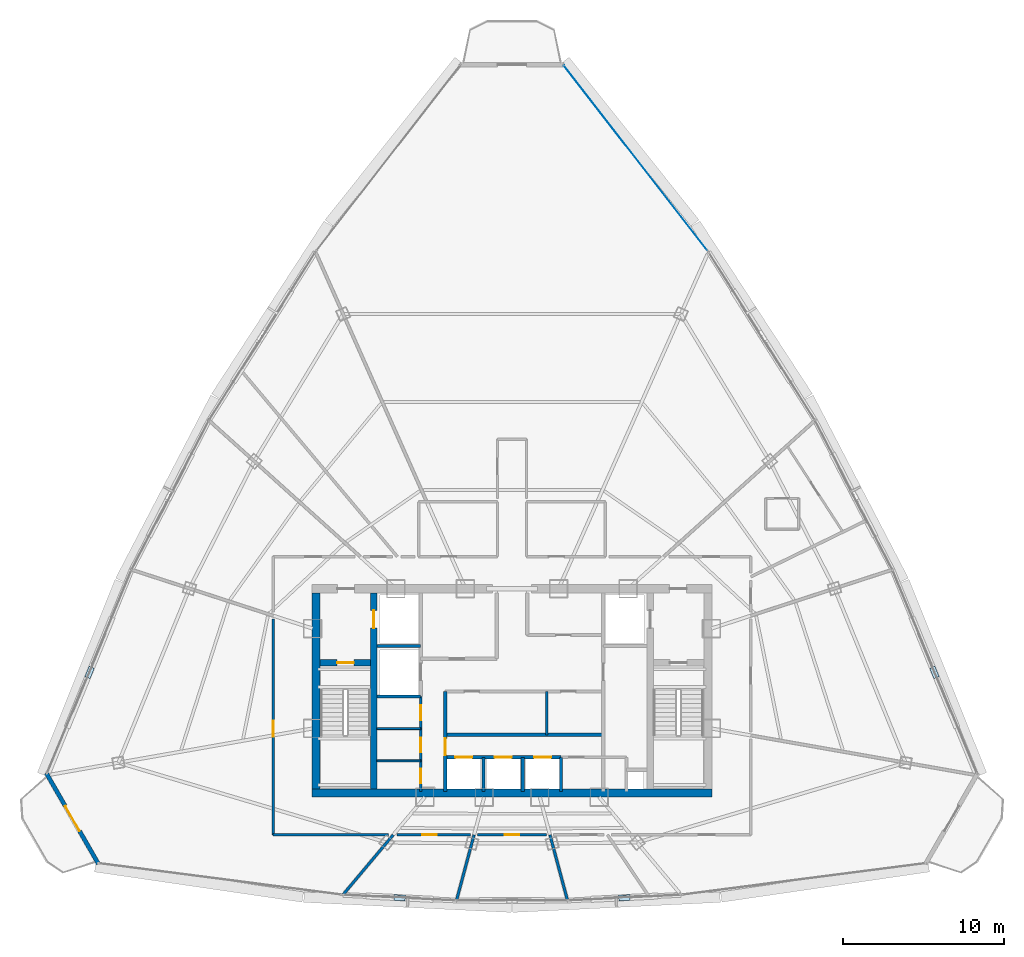
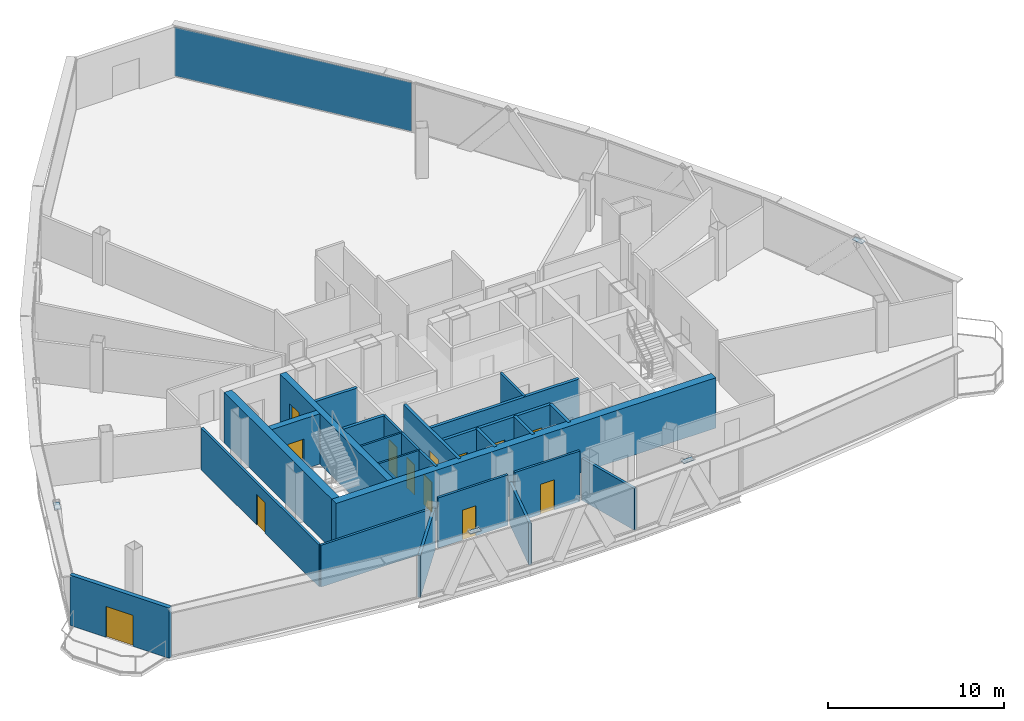
# One storey, part 27 of 33: 24 walls, 13 doors, 5 plates, 13 openings, 1 element without a shape of its own.
"""IFC4 building model written with IfcOpenShell, lengths in metres."""

from ifc_helpers import new_model, si_unit, direction, frame, frame_2d, origin, origin_with_axes, origin_2d, place, context, subcontext, project, spatial, rectangle, extrude, source, transform, mapped, material, layer, layer_set, type_object, element, fill, aggregate, save


model = new_model("IFC4")

# Units and contexts
model_context = context("Model", 3, precision=1e-05, world=origin(), true_north=direction((0.0, 1.0)))
body_context = subcontext(model_context, "Body", "Model", "MODEL_VIEW")
ifc_project = project(units=[si_unit("LENGTHUNIT", "METRE"), si_unit("AREAUNIT", "SQUARE_METRE"), si_unit("VOLUMEUNIT", "CUBIC_METRE"), si_unit("PLANEANGLEUNIT", "RADIAN"), si_unit("MASSUNIT", "GRAM", prefix="KILO"), si_unit("THERMODYNAMICTEMPERATUREUNIT", "KELVIN"), si_unit("POWERUNIT", "WATT")], contexts=[model_context])

# Site, building, storey
site_placement = place(None, origin())
site = spatial("IfcSite", under=ifc_project, at=site_placement, CompositionType="ELEMENT")
building_placement = place(site_placement, origin())
building = spatial("IfcBuilding", under=site, at=building_placement, Name="Yunzhuo Pagoda Commons", CompositionType="ELEMENT")
storey_placement = place(building_placement, frame((0.0, 0.0, 325.510009765625)))
storey = spatial("IfcBuildingStorey", under=building, at=storey_placement, Name="L81", CompositionType="ELEMENT", Elevation=325.510009765625)

# Plates
ifc_material_1 = material(Name="Structural steel Q355B", Category="steel")
ifc_layer_1 = layer(ifc_material_1, 0.028076171875)
ifc_layer_set_1 = layer_set([ifc_layer_1], Name="Structural steel Q355B")
plate_type_1 = type_object("IfcPlateType", Name="SP-ND1 Lattice Node Cap Plate 800x500x28", PredefinedType="USERDEFINED", material=ifc_layer_set_1)
shared_shape_1 = source(origin(), body_context, "Body", "SweptSolid", [
    extrude(rectangle(XDim=0.699951171875, YDim=0.35009765625, at=origin_2d()), origin(), (0.0, 0.0, 1.0), 0.035888671875),
])
for number, where, z_axis, x_axis, name in (
    (1, (41.016845703125, 20.9931640625, 3.4521484375), (0.0, 0.0, 1.0), (0.998757045498, -0.049843395432, 0.0), "L81 setback lattice tie plate F1.1L"),
    (2, (54.983154296875, 20.9931640625, 3.4521484375), (0.0, 0.0, 1.0), (0.998757045498, 0.049843395432, 0.0), "L81 setback lattice tie plate F1.3L"),
    (3, (74.264404296875, 34.99658203125, 3.4521484375), (0.0, 0.0, 1.0), (-0.378567847265, 0.925573543819, 0.0), "L81 setback lattice tie plate F2.1L"),
    (4, (21.735595703125, 34.99658203125, 3.4521484375), (0.0, 0.0, 1.0), (-0.378567847265, -0.925573543819, 0.0), "L81 setback lattice tie plate F3.3L"),
):
    element("IfcPlate", number, at=place(storey_placement, frame(where, z_axis=z_axis, x_axis=x_axis)), inside=storey, type_object=plate_type_1, Name=name, ObjectType="STIFFENER_PLATE", PredefinedType="USERDEFINED", context=body_context, shape_type="MappedRepresentation", body=[
        mapped(shared_shape_1, transform((0.0, 0.0, 0.0), scale=1.0)),
    ])

# Curtain wall, plate
ifc_material_2 = material(Name="Anodized aluminium 6063-T6", Category="aluminium")
ifc_layer_2 = layer(ifc_material_2, 0.139892578125)
ifc_layer_set_2 = layer_set([ifc_layer_2], Name="Anodized aluminium 6063-T6")
curtain_wall_type = type_object("IfcCurtainWallType", Name="CW-HI High-Zone Ribbon Curtain Wall", PredefinedType="NOTDEFINED", material=ifc_layer_set_2)
curtain_wall_placement = place(storey_placement, origin())
curtain_wall = element("IfcCurtainWall", 5, at=curtain_wall_placement, inside=storey, type_object=curtain_wall_type, Name="L81 curtain wall CW-L81-F2B5", PredefinedType="NOTDEFINED")
ifc_material_3 = material(Name="Tempered low-e double glazing", Category="glass")
ifc_layer_3 = layer(ifc_material_3, 0.02587890625)
ifc_layer_set_3 = layer_set([ifc_layer_3], Name="Tempered low-e double glazing")
plate_type_2 = type_object("IfcPlateType", Name="CW-HI-P Low-E Double Glazing 26", PredefinedType="CURTAIN_PANEL", material=ifc_layer_set_3)
shared_shape_2 = source(origin(), body_context, "Body", "SweptSolid", [
    extrude(rectangle(XDim=14.537353515625, YDim=0.028076171875, at=origin_2d()), origin(), (0.0, 0.0, 1.0), 3.3798828125),
])
plate_placement = place(storey_placement, frame((55.680419921875, 66.99267578125, 0.054931640625), z_axis=(0.0, 0.0, 1.0), x_axis=(-0.612917502921, 0.790146906982, 0.0)))
plate = element("IfcPlate", 6, at=plate_placement, type_object=plate_type_2, Name="CW panel 1.1", PredefinedType="CURTAIN_PANEL", context=body_context, shape_type="MappedRepresentation", body=[
    mapped(shared_shape_2, transform((0.0, 0.0, 0.0), scale=1.0)),
])
aggregate(curtain_wall, [plate])

# Wall, opening, door
ifc_material_4 = material(Name="Precast concrete C40", Category="concrete")
ifc_layer_4 = layer(ifc_material_4, 0.260009765625)
ifc_layer_set_4 = layer_set([ifc_layer_4], Name="Precast concrete C40")
wall_type_1 = type_object("IfcWallType", Name="W-BAL1 Corner Balcony Threshold Wall 260", PredefinedType="STANDARD", material=ifc_layer_set_4)
wall_1_placement = place(storey_placement, frame((19.044677734375, 28.739013671875, 0.0), z_axis=(0.0, 0.0, 1.0), x_axis=(0.49793434898, -0.867214727796, 0.0)))
wall_1 = element("IfcWall", 7, at=wall_1_placement, inside=storey, type_object=wall_type_1, Name="L81 corner balcony wall V1", PredefinedType="STANDARD", context=body_context, shape_type="SweptSolid", body=[
    extrude(rectangle(XDim=6.5126953125, YDim=0.260009765625, at=frame_2d((3.25634765625, 0.0))), origin(), (0.0, 0.0, 1.0), 3.489990234375),
])
opening_1_placement = place(wall_1_placement, frame((2.3564453125, 0.0, 0.0)))
opening_1 = element("IfcOpeningElement", 8, at=opening_1_placement, cuts=wall_1, Name="Opening D-BAL1", PredefinedType="OPENING", context=body_context, shape_type="SweptSolid", body=[
    extrude(rectangle(XDim=1.800048828125, YDim=2.14990234375, at=frame_2d((0.89990234375, 1.074951171875))), frame((0.0, 0.14013671875, 0.0), z_axis=(0.0, -1.0, 0.0), x_axis=(1.0, 0.0, 0.0)), (0.0, 0.0, 1.0), 0.280029296875),
])
ifc_material_5 = material(Name="Anodized aluminium frame and tempered glazed leaf", Category="aluminium")
door_type_1 = type_object("IfcDoorType", Name="D-BAL1 Corner Balcony Sliding Glazed Door 1800x2150", OperationType="DOUBLE_DOOR_SLIDING", PredefinedType="DOOR", material=ifc_material_5)
shared_shape_3 = source(origin(), body_context, "Body", "SweptSolid", [
    extrude(rectangle(XDim=1.800048828125, YDim=2.14990234375, at=frame_2d((0.89990234375, 1.074951171875))), frame((0.0, 0.02490234375, 0.0), z_axis=(0.0, -1.0, 0.0), x_axis=(1.0, 0.0, 0.0)), (0.0, 0.0, 1.0), 0.050048828125),
])
door_1_placement = place(opening_1_placement, origin_with_axes())
door_1 = element("IfcDoor", 9, at=door_1_placement, inside=storey, type_object=door_type_1, Name="L81 corner balcony sliding door V1", OperationType="DOUBLE_DOOR_SLIDING", OverallHeight=2.14990234375, OverallWidth=1.800048828125, PredefinedType="DOOR", context=body_context, shape_type="MappedRepresentation", body=[
    mapped(shared_shape_3, transform((0.0, 0.0, 0.0), scale=1.0)),
])
fill(opening_1, door_1)

# Walls
ifc_material_6 = material(Name="Concrete C50", Category="concrete")
ifc_layer_5 = layer(ifc_material_6, 0.5)
ifc_layer_set_5 = layer_set([ifc_layer_5], Name="Concrete C50")
wall_type_2 = type_object("IfcWallType", Name="W-C03 Upper Core Shear Wall 500", PredefinedType="SHEAR", material=ifc_layer_set_5)
wall_2_placement = place(storey_placement, frame((35.550048828125, 27.5, 0.0), z_axis=(0.0, 0.0, 1.0), x_axis=(1.0, 0.0, 0.0)))
element("IfcWall", 10, at=wall_2_placement, inside=storey, type_object=wall_type_2, Name="L81 core shear wall S", PredefinedType="SHEAR", context=body_context, shape_type="SweptSolid", body=[
    extrude(rectangle(XDim=24.89990234375, YDim=0.5, at=frame_2d((12.449951171875, 0.0))), origin(), (0.0, 0.0, 1.0), 3.489990234375),
])
wall_3_placement = place(storey_placement, frame((35.800048828125, 27.75, 0.0), z_axis=(0.0, 0.0, 1.0), x_axis=(0.0, 1.0, 0.0)))
element("IfcWall", 11, at=wall_3_placement, inside=storey, type_object=wall_type_2, Name="L81 core shear wall W", PredefinedType="SHEAR", context=body_context, shape_type="SweptSolid", body=[
    extrude(rectangle(XDim=12.199951171875, YDim=0.5, at=frame_2d((6.10009765625, 0.0))), origin(), (0.0, 0.0, 1.0), 3.489990234375),
])
ifc_material_7 = material(Name="Gypsum plasterboard on acoustic stud")
ifc_layer_6 = layer(ifc_material_7, 0.14990234375)
ifc_layer_set_6 = layer_set([ifc_layer_6], Name="Gypsum plasterboard on acoustic stud")
wall_type_3 = type_object("IfcWallType", Name="W-COR3 High-Zone Rated Corridor Wall 150", PredefinedType="PARTITIONING", material=ifc_layer_set_6)
wall_4_placement = place(storey_placement, frame((50.14990234375, 31.1201171875, 0.0), z_axis=(0.0, 0.0, 1.0), x_axis=(0.0, 1.0, 0.0)))
element("IfcWall", 12, at=wall_4_placement, inside=storey, type_object=wall_type_3, Name="L81 interior wall IW-L81-FRMD", PredefinedType="PARTITIONING", context=body_context, shape_type="SweptSolid", body=[
    extrude(rectangle(XDim=2.699951171875, YDim=0.14990234375, at=frame_2d((1.35009765625, 0.0))), origin(), (0.0, 0.0, 1.0), 3.489990234375),
])

# Wall, openings, doors
wall_5_placement = place(storey_placement, frame((42.320068359375, 27.60009765625, 0.0), z_axis=(0.0, 0.0, 1.0), x_axis=(0.0, 1.0, 0.0)))
wall_5 = element("IfcWall", 13, at=wall_5_placement, inside=storey, type_object=wall_type_3, Name="L81 interior wall IW-L81-CSWE", PredefinedType="PARTITIONING", context=body_context, shape_type="SweptSolid", body=[
    extrude(rectangle(XDim=5.89990234375, YDim=0.14990234375, at=frame_2d((2.949951171875, 0.0))), origin(), (0.0, 0.0, 1.0), 3.489990234375),
])
opening_2_placement = place(wall_5_placement, frame((0.5, 0.0, 0.0)))
opening_2 = element("IfcOpeningElement", 14, at=opening_2_placement, cuts=wall_5, Name="Opening D-03", PredefinedType="OPENING", context=body_context, shape_type="SweptSolid", body=[
    extrude(rectangle(XDim=0.89990234375, YDim=2.10009765625, at=frame_2d((0.449951171875, 1.050048828125))), frame((0.0, 0.0849609375, 0.0), z_axis=(0.0, -1.0, 0.0), x_axis=(1.0, 0.0, 0.0)), (0.0, 0.0, 1.0), 0.169921875),
])
opening_3_placement = place(wall_5_placement, frame((2.449951171875, 0.0, 0.0)))
opening_3 = element("IfcOpeningElement", 15, at=opening_3_placement, cuts=wall_5, Name="Opening D-03", PredefinedType="OPENING", context=body_context, shape_type="SweptSolid", body=[
    extrude(rectangle(XDim=0.89990234375, YDim=2.10009765625, at=frame_2d((0.449951171875, 1.050048828125))), frame((0.0, 0.0849609375, 0.0), z_axis=(0.0, -1.0, 0.0), x_axis=(1.0, 0.0, 0.0)), (0.0, 0.0, 1.0), 0.169921875),
])
opening_4_placement = place(wall_5_placement, frame((4.419921875, 0.0, 0.0)))
opening_4 = element("IfcOpeningElement", 16, at=opening_4_placement, cuts=wall_5, Name="Opening D-11", PredefinedType="OPENING", context=body_context, shape_type="SweptSolid", body=[
    extrude(rectangle(XDim=0.93994140625, YDim=2.10009765625, at=frame_2d((0.469970703125, 1.050048828125))), frame((0.0, 0.0849609375, 0.0), z_axis=(0.0, -1.0, 0.0), x_axis=(1.0, 0.0, 0.0)), (0.0, 0.0, 1.0), 0.169921875),
])
ifc_material_8 = material(Name="Galvanized fire-resisting metal leaf")
door_type_2 = type_object("IfcDoorType", Name="D-03 Core Service Fire Door 900x2100", OperationType="NOTDEFINED", PredefinedType="DOOR", material=ifc_material_8)
shared_shape_4 = source(origin(), body_context, "Body", "SweptSolid", [
    extrude(rectangle(XDim=0.89990234375, YDim=2.10009765625, at=frame_2d((0.449951171875, 1.050048828125))), frame((0.0, 0.02490234375, 0.0), z_axis=(0.0, -1.0, 0.0), x_axis=(1.0, 0.0, 0.0)), (0.0, 0.0, 1.0), 0.050048828125),
])
door_2_placement = place(opening_2_placement, origin_with_axes())
door_2 = element("IfcDoor", 17, at=door_2_placement, inside=storey, type_object=door_type_2, Name="L81 switch door", OperationType="SINGLE_SWING_RIGHT", OverallHeight=2.10009765625, OverallWidth=0.89990234375, PredefinedType="DOOR", context=body_context, shape_type="MappedRepresentation", body=[
    mapped(shared_shape_4, transform((0.0, 0.0, 0.0), scale=1.0)),
])
fill(opening_2, door_2)
door_3_placement = place(opening_3_placement, origin_with_axes())
door_3 = element("IfcDoor", 18, at=door_3_placement, inside=storey, type_object=door_type_2, Name="L81 cleaner door", OperationType="SINGLE_SWING_RIGHT", OverallHeight=2.10009765625, OverallWidth=0.89990234375, PredefinedType="DOOR", context=body_context, shape_type="MappedRepresentation", body=[
    mapped(shared_shape_4, transform((0.0, 0.0, 0.0), scale=1.0)),
])
fill(opening_3, door_3)
door_type_3 = type_object("IfcDoorType", Name="D-11 Accessible Washroom Fire Door 940x2100", OperationType="NOTDEFINED", PredefinedType="DOOR", material=ifc_material_8)
shared_shape_5 = source(origin(), body_context, "Body", "SweptSolid", [
    extrude(rectangle(XDim=0.93994140625, YDim=2.10009765625, at=frame_2d((0.469970703125, 1.050048828125))), frame((0.0, 0.02490234375, 0.0), z_axis=(0.0, -1.0, 0.0), x_axis=(1.0, 0.0, 0.0)), (0.0, 0.0, 1.0), 0.050048828125),
])
door_4_placement = place(opening_4_placement, origin_with_axes())
door_4 = element("IfcDoor", 19, at=door_4_placement, inside=storey, type_object=door_type_3, Name="L81 core WC door", OperationType="SINGLE_SWING_LEFT", OverallHeight=2.10009765625, OverallWidth=0.93994140625, PredefinedType="DOOR", context=body_context, shape_type="MappedRepresentation", body=[
    mapped(shared_shape_5, transform((0.0, 0.0, 0.0), scale=1.0)),
])
fill(opening_4, door_4)

# Wall, opening, door
wall_6_placement = place(storey_placement, frame((33.14990234375, 24.89990234375, 0.0), z_axis=(0.0, 0.0, 1.0), x_axis=(0.0, 1.0, 0.0)))
wall_6 = element("IfcWall", 20, at=wall_6_placement, inside=storey, type_object=wall_type_3, Name="L81 interior wall IW-L81-CWL01", PredefinedType="PARTITIONING", context=body_context, shape_type="SweptSolid", body=[
    extrude(rectangle(XDim=13.405517578125, YDim=0.14990234375, at=frame_2d((6.70263671875, 0.0))), origin(), (0.0, 0.0, 1.0), 2.889892578125),
])
opening_5_placement = place(wall_6_placement, frame((6.107666015625, 0.0, 0.0)))
opening_5 = element("IfcOpeningElement", 21, at=opening_5_placement, cuts=wall_6, Name="Opening D-08", PredefinedType="OPENING", context=body_context, shape_type="SweptSolid", body=[
    extrude(rectangle(XDim=0.97998046875, YDim=2.1201171875, at=frame_2d((0.489990234375, 1.06005859375))), frame((0.0, 0.0849609375, 0.0), z_axis=(0.0, -1.0, 0.0), x_axis=(1.0, 0.0, 0.0)), (0.0, 0.0, 1.0), 0.169921875),
])
door_type_4 = type_object("IfcDoorType", Name="D-08 High-Zone Suite Entrance Fire Door 980x2120", OperationType="NOTDEFINED", PredefinedType="DOOR", material=ifc_material_8)
shared_shape_6 = source(origin(), body_context, "Body", "SweptSolid", [
    extrude(rectangle(XDim=0.97998046875, YDim=2.1201171875, at=frame_2d((0.489990234375, 1.06005859375))), frame((0.0, 0.02490234375, 0.0), z_axis=(0.0, -1.0, 0.0), x_axis=(1.0, 0.0, 0.0)), (0.0, 0.0, 1.0), 0.050048828125),
])
door_5_placement = place(opening_5_placement, origin_with_axes())
door_5 = element("IfcDoor", 22, at=door_5_placement, inside=storey, type_object=door_type_4, Name="L81 Resident Co-Living Commons Hall door", OperationType="SINGLE_SWING_RIGHT", OverallHeight=2.1201171875, OverallWidth=0.97998046875, PredefinedType="DOOR", context=body_context, shape_type="MappedRepresentation", body=[
    mapped(shared_shape_6, transform((0.0, 0.0, 0.0), scale=1.0)),
])
fill(opening_5, door_5)

wall_7_placement = place(storey_placement, frame((50.13818359375, 24.89990234375, 0.0), z_axis=(0.0, 0.0, 1.0), x_axis=(-1.0, 0.0, 0.0)))
wall_7 = element("IfcWall", 23, at=wall_7_placement, inside=storey, type_object=wall_type_3, Name="L81 interior wall IW-L81-CWL17", PredefinedType="PARTITIONING", context=body_context, shape_type="SweptSolid", body=[
    extrude(rectangle(XDim=4.2763671875, YDim=0.14990234375, at=frame_2d((2.13818359375, 0.0))), origin(), (0.0, 0.0, 1.0), 3.489990234375),
])
opening_6_placement = place(wall_7_placement, frame((1.67822265625, 0.0, 0.0)))
opening_6 = element("IfcOpeningElement", 24, at=opening_6_placement, cuts=wall_7, Name="Opening D-12", PredefinedType="OPENING", context=body_context, shape_type="SweptSolid", body=[
    extrude(rectangle(XDim=0.89990234375, YDim=2.080078125, at=frame_2d((0.449951171875, 1.0400390625))), frame((0.0, 0.0849609375, 0.0), z_axis=(0.0, -1.0, 0.0), x_axis=(1.0, 0.0, 0.0)), (0.0, 0.0, 1.0), 0.169921875),
])
ifc_material_9 = material(Name="Powder-coated aluminium and timber acoustic leaf", Category="wood")
door_type_5 = type_object("IfcDoorType", Name="D-12 Quiet Study Interior Door 900x2080", OperationType="NOTDEFINED", PredefinedType="DOOR", material=ifc_material_9)
shared_shape_7 = source(origin(), body_context, "Body", "SweptSolid", [
    extrude(rectangle(XDim=0.89990234375, YDim=2.080078125, at=frame_2d((0.449951171875, 1.0400390625))), frame((0.0, 0.02490234375, 0.0), z_axis=(0.0, -1.0, 0.0), x_axis=(1.0, 0.0, 0.0)), (0.0, 0.0, 1.0), 0.050048828125),
])
door_6_placement = place(opening_6_placement, origin_with_axes())
door_6 = element("IfcDoor", 25, at=door_6_placement, inside=storey, type_object=door_type_5, Name="L81 study lounge 10 door", OperationType="SINGLE_SWING_RIGHT", OverallHeight=2.080078125, OverallWidth=0.89990234375, PredefinedType="DOOR", context=body_context, shape_type="MappedRepresentation", body=[
    mapped(shared_shape_7, transform((0.0, 0.0, 0.0), scale=1.0)),
])
fill(opening_6, door_6)

wall_8_placement = place(storey_placement, frame((45.414306640625, 24.89990234375, 0.0), z_axis=(0.0, 0.0, 1.0), x_axis=(-1.0, 0.0, 0.0)))
wall_8 = element("IfcWall", 26, at=wall_8_placement, inside=storey, type_object=wall_type_3, Name="L81 interior wall IW-L81-CWL18", PredefinedType="PARTITIONING", context=body_context, shape_type="SweptSolid", body=[
    extrude(rectangle(XDim=4.57861328125, YDim=0.14990234375, at=frame_2d((2.289306640625, 0.0))), origin(), (0.0, 0.0, 1.0), 3.489990234375),
])
opening_7_placement = place(wall_8_placement, frame((2.09326171875, 0.0, 0.0)))
opening_7 = element("IfcOpeningElement", 27, at=opening_7_placement, cuts=wall_8, Name="Opening D-12", PredefinedType="OPENING", context=body_context, shape_type="SweptSolid", body=[
    extrude(rectangle(XDim=0.89990234375, YDim=2.080078125, at=frame_2d((0.449951171875, 1.0400390625))), frame((0.0, 0.0849609375, 0.0), z_axis=(0.0, -1.0, 0.0), x_axis=(1.0, 0.0, 0.0)), (0.0, 0.0, 1.0), 0.169921875),
])
door_7_placement = place(opening_7_placement, origin_with_axes())
door_7 = element("IfcDoor", 28, at=door_7_placement, inside=storey, type_object=door_type_5, Name="L81 study lounge 09 door", OperationType="SINGLE_SWING_LEFT", OverallHeight=2.080078125, OverallWidth=0.89990234375, PredefinedType="DOOR", context=body_context, shape_type="MappedRepresentation", body=[
    mapped(shared_shape_7, transform((0.0, 0.0, 0.0), scale=1.0)),
])
fill(opening_7, door_7)

# Walls
wall_9_placement = place(storey_placement, frame((40.32861328125, 24.89990234375, 0.0), z_axis=(0.0, 0.0, 1.0), x_axis=(-1.0, 0.0, 0.0)))
element("IfcWall", 29, at=wall_9_placement, inside=storey, type_object=wall_type_3, Name="L81 interior wall IW-L81-CWL19", PredefinedType="PARTITIONING", context=body_context, shape_type="SweptSolid", body=[
    extrude(rectangle(XDim=7.1787109375, YDim=0.14990234375, at=frame_2d((3.58935546875, 0.0))), origin(), (0.0, 0.0, 1.0), 2.889892578125),
])
ifc_layer_7 = layer(ifc_material_7, 0.1201171875)
ifc_layer_set_7 = layer_set([ifc_layer_7], Name="Gypsum plasterboard on acoustic stud")
wall_type_4 = type_object("IfcWallType", Name="W-PRT1 Suite & Bathroom Partition 120", PredefinedType="PARTITIONING", material=ifc_layer_set_7)
for number, where, z_axis, x_axis, name in (
    (30, (39.60009765625, 29.5, 0.0), (0.0, 0.0, 1.0), (1.0, 0.0, 0.0), "L81 interior wall IW-L81-CC1"),
    (31, (39.60009765625, 31.5, 0.0), (0.0, 0.0, 1.0), (1.0, 0.0, 0.0), "L81 interior wall IW-L81-CC2"),
):
    element("IfcWall", number, at=place(storey_placement, frame(where, z_axis=z_axis, x_axis=x_axis)), inside=storey, type_object=wall_type_4, Name=name, PredefinedType="PARTITIONING", context=body_context, shape_type="SweptSolid", body=[
        extrude(rectangle(XDim=2.719970703125, YDim=0.1201171875, at=frame_2d((1.35986328125, 0.0))), origin(), (0.0, 0.0, 1.0), 3.489990234375),
    ])
ifc_layer_8 = layer(ifc_material_7, 0.169921875)
ifc_layer_set_8 = layer_set([ifc_layer_8], Name="Gypsum plasterboard on acoustic stud")
wall_type_5 = type_object("IfcWallType", Name="W-PRT4 High-Zone Demising Wall 170", PredefinedType="PARTITIONING", material=ifc_layer_set_8)
wall_10_placement = place(storey_placement, frame((40.615966796875, 24.89990234375, 0.0), z_axis=(0.0, 0.0, 1.0), x_axis=(-0.642804014728, -0.766030677355, 0.0)))
element("IfcWall", 32, at=wall_10_placement, inside=storey, type_object=wall_type_5, Name="L81 interior wall IW-L81-RAD08", PredefinedType="PARTITIONING", context=body_context, shape_type="SweptSolid", body=[
    extrude(rectangle(XDim=4.869873046875, YDim=0.169921875, at=frame_2d((2.43505859375, 0.0))), origin(), (0.0, 0.0, 1.0), 2.889892578125),
])
for number, where, z_axis, x_axis, name in (
    (33, (45.64208984375, 24.89990234375, 0.0), (0.0, 0.0, 1.0), (-0.258809221612, -0.965928458432, 0.0), "L81 interior wall IW-L81-RAD09"),
    (34, (50.35791015625, 24.89990234375, 0.0), (0.0, 0.0, 1.0), (0.258809221612, -0.965928458432, 0.0), "L81 interior wall IW-L81-RAD10"),
):
    element("IfcWall", number, at=place(storey_placement, frame(where, z_axis=z_axis, x_axis=x_axis)), inside=storey, type_object=wall_type_5, Name=name, PredefinedType="PARTITIONING", context=body_context, shape_type="SweptSolid", body=[
        extrude(rectangle(XDim=4.22705078125, YDim=0.169921875, at=frame_2d((2.113525390625, 0.0))), origin(), (0.0, 0.0, 1.0), 2.889892578125),
    ])

# Wall, opening, door
ifc_material_10 = material(Name="Concrete C60", Category="concrete")
ifc_layer_9 = layer(ifc_material_10, 0.39990234375)
ifc_layer_set_9 = layer_set([ifc_layer_9], Name="Concrete C60")
wall_type_6 = type_object("IfcWallType", Name="W-S01 Internal Core Shear Web 400", PredefinedType="SHEAR", material=ifc_layer_set_9)
wall_11_placement = place(storey_placement, frame((39.39990234375, 27.75, 0.0), z_axis=(0.0, 0.0, 1.0), x_axis=(0.0, 1.0, 0.0)))
wall_11 = element("IfcWall", 35, at=wall_11_placement, inside=storey, type_object=wall_type_6, Name="L81 core shear wall WEBW", PredefinedType="SHEAR", context=body_context, shape_type="SweptSolid", body=[
    extrude(rectangle(XDim=12.199951171875, YDim=0.39990234375, at=frame_2d((6.10009765625, 0.0))), origin(), (0.0, 0.0, 1.0), 3.489990234375),
])
opening_8_placement = place(wall_11_placement, frame((10.0, 0.0, 0.0)))
opening_8 = element("IfcOpeningElement", 36, at=opening_8_placement, cuts=wall_11, Name="Opening LD-01", PredefinedType="OPENING", context=body_context, shape_type="SweptSolid", body=[
    extrude(rectangle(XDim=1.10009765625, YDim=2.10009765625, at=frame_2d((0.550048828125, 1.050048828125))), frame((0.0, 0.2099609375, 0.0), z_axis=(0.0, -1.0, 0.0), x_axis=(1.0, 0.0, 0.0)), (0.0, 0.0, 1.0), 0.419921875),
])
door_type_6 = type_object("IfcDoorType", Name="LD-01 Firefighting Lift Landing Door 1100x2100", OperationType="DOUBLE_DOOR_SLIDING", PredefinedType="DOOR", material=ifc_material_8)
shared_shape_8 = source(origin(), body_context, "Body", "SweptSolid", [
    extrude(rectangle(XDim=1.10009765625, YDim=2.10009765625, at=frame_2d((0.550048828125, 1.050048828125))), frame((0.0, 0.02490234375, 0.0), z_axis=(0.0, -1.0, 0.0), x_axis=(1.0, 0.0, 0.0)), (0.0, 0.0, 1.0), 0.050048828125),
])
door_8_placement = place(opening_8_placement, frame((1.10009765625, 0.0, 0.0), z_axis=(0.0, 0.0, 1.0), x_axis=(-1.0, 0.0, 0.0)))
door_8 = element("IfcDoor", 37, at=door_8_placement, inside=storey, type_object=door_type_6, Name="L81 Firefighting lift FL-1 landing door", OperationType="DOUBLE_DOOR_SLIDING", OverallHeight=2.10009765625, OverallWidth=1.10009765625, PredefinedType="DOOR", context=body_context, shape_type="MappedRepresentation", body=[
    mapped(shared_shape_8, transform((0.0, 0.0, 0.0), scale=1.0)),
])
fill(opening_8, door_8)

wall_12_placement = place(storey_placement, frame((36.050048828125, 35.60009765625, 0.0), z_axis=(0.0, 0.0, 1.0), x_axis=(1.0, 0.0, 0.0)))
wall_12 = element("IfcWall", 38, at=wall_12_placement, inside=storey, type_object=wall_type_6, Name="L81 core shear wall STW", PredefinedType="SHEAR", context=body_context, shape_type="SweptSolid", body=[
    extrude(rectangle(XDim=3.14990234375, YDim=0.39990234375, at=frame_2d((1.574951171875, 0.0))), origin(), (0.0, 0.0, 1.0), 3.489990234375),
])
opening_9_placement = place(wall_12_placement, frame((1.070068359375, 0.0, 0.0)))
opening_9 = element("IfcOpeningElement", 39, at=opening_9_placement, cuts=wall_12, Name="Opening D-01", PredefinedType="OPENING", context=body_context, shape_type="SweptSolid", body=[
    extrude(rectangle(XDim=1.050048828125, YDim=2.10009765625, at=frame_2d((0.52490234375, 1.050048828125))), frame((0.0, 0.2099609375, 0.0), z_axis=(0.0, -1.0, 0.0), x_axis=(1.0, 0.0, 0.0)), (0.0, 0.0, 1.0), 0.419921875),
])
door_type_7 = type_object("IfcDoorType", Name="D-01 Smokeproof Stair Fire Door 1050x2100", OperationType="NOTDEFINED", PredefinedType="DOOR", material=ifc_material_8)
shared_shape_9 = source(origin(), body_context, "Body", "SweptSolid", [
    extrude(rectangle(XDim=1.050048828125, YDim=2.10009765625, at=frame_2d((0.52490234375, 1.050048828125))), frame((0.0, 0.02490234375, 0.0), z_axis=(0.0, -1.0, 0.0), x_axis=(1.0, 0.0, 0.0)), (0.0, 0.0, 1.0), 0.050048828125),
])
door_9_placement = place(opening_9_placement, frame((1.050048828125, 0.0, 0.0), z_axis=(0.0, 0.0, 1.0), x_axis=(-1.0, 0.0, 0.0)))
door_9 = element("IfcDoor", 40, at=door_9_placement, inside=storey, type_object=door_type_7, Name="L81 Stair ST1 fire door", OperationType="SINGLE_SWING_LEFT", OverallHeight=2.10009765625, OverallWidth=1.050048828125, PredefinedType="DOOR", context=body_context, shape_type="MappedRepresentation", body=[
    mapped(shared_shape_9, transform((0.0, 0.0, 0.0), scale=1.0)),
])
fill(opening_9, door_9)

# Walls
ifc_material_11 = material(Name="Concrete C40", Category="concrete")
ifc_layer_10 = layer(ifc_material_11, 0.199951171875)
ifc_layer_set_10 = layer_set([ifc_layer_10], Name="Concrete C40")
wall_type_7 = type_object("IfcWallType", Name="W-SHF Shaft & Stair Enclosure Wall 200", PredefinedType="SOLIDWALL", material=ifc_layer_set_10)
for number, where, z_axis, x_axis, name in (
    (41, (39.60009765625, 36.64990234375, 0.0), (0.0, 0.0, 1.0), (1.0, 0.0, 0.0), "L81 interior wall IW-L81-FL1S"),
    (42, (39.60009765625, 33.5, 0.0), (0.0, 0.0, 1.0), (1.0, 0.0, 0.0), "L81 interior wall IW-L81-SL1S"),
):
    element("IfcWall", number, at=place(storey_placement, frame(where, z_axis=z_axis, x_axis=x_axis)), inside=storey, type_object=wall_type_7, Name=name, PredefinedType="SOLIDWALL", context=body_context, shape_type="SweptSolid", body=[
        extrude(rectangle(XDim=2.719970703125, YDim=0.199951171875, at=frame_2d((1.35986328125, 0.0))), origin(), (0.0, 0.0, 1.0), 3.489990234375),
    ])

# Wall, opening, door
wall_13_placement = place(storey_placement, frame((43.85009765625, 27.60009765625, 0.0), z_axis=(0.0, 0.0, 1.0), x_axis=(0.0, 1.0, 0.0)))
wall_13 = element("IfcWall", 43, at=wall_13_placement, inside=storey, type_object=wall_type_7, Name="L81 interior wall IW-L81-PLMW", PredefinedType="SOLIDWALL", context=body_context, shape_type="SweptSolid", body=[
    extrude(rectangle(XDim=6.219970703125, YDim=0.199951171875, at=frame_2d((3.10986328125, 0.0))), origin(), (0.0, 0.0, 1.0), 3.489990234375),
])
opening_10_placement = place(wall_13_placement, frame((2.25, 0.0, 0.0)))
opening_10 = element("IfcOpeningElement", 44, at=opening_10_placement, cuts=wall_13, Name="Opening D-02", PredefinedType="OPENING", context=body_context, shape_type="SweptSolid", body=[
    extrude(rectangle(XDim=1.050048828125, YDim=2.10009765625, at=frame_2d((0.52490234375, 1.050048828125))), frame((0.0, 0.10986328125, 0.0), z_axis=(0.0, -1.0, 0.0), x_axis=(1.0, 0.0, 0.0)), (0.0, 0.0, 1.0), 0.219970703125),
])
door_type_8 = type_object("IfcDoorType", Name="D-02 Firefighting Lobby & Refuge Fire Door 1050x2100", OperationType="NOTDEFINED", PredefinedType="DOOR", material=ifc_material_8)
door_10_placement = place(opening_10_placement, frame((1.050048828125, 0.0, 0.0), z_axis=(0.0, 0.0, 1.0), x_axis=(-1.0, 0.0, 0.0)))
door_10 = element("IfcDoor", 45, at=door_10_placement, inside=storey, type_object=door_type_8, Name="L81 High-bank hall west door", OperationType="SINGLE_SWING_LEFT", OverallHeight=2.10009765625, OverallWidth=1.050048828125, PredefinedType="DOOR", context=body_context, shape_type="MappedRepresentation", body=[
    mapped(shared_shape_9, transform((0.0, 0.0, 0.0), scale=1.0)),
])
fill(opening_10, door_10)

# Wall, openings, doors
wall_14_placement = place(storey_placement, frame((43.85009765625, 29.719970703125, 0.0), z_axis=(0.0, 0.0, 1.0), x_axis=(1.0, 0.0, 0.0)))
wall_14 = element("IfcWall", 46, at=wall_14_placement, inside=storey, type_object=wall_type_7, Name="L81 interior wall IW-L81-PLHN", PredefinedType="SOLIDWALL", context=body_context, shape_type="SweptSolid", body=[
    extrude(rectangle(XDim=7.199951171875, YDim=0.199951171875, at=frame_2d((3.60009765625, 0.0))), origin(), (0.0, 0.0, 1.0), 3.489990234375),
])
opening_11_placement = place(wall_14_placement, frame((0.625, 0.0, 0.0)))
opening_11 = element("IfcOpeningElement", 47, at=opening_11_placement, cuts=wall_14, Name="Opening LD-02", PredefinedType="OPENING", context=body_context, shape_type="SweptSolid", body=[
    extrude(rectangle(XDim=1.050048828125, YDim=2.10009765625, at=frame_2d((0.52490234375, 1.050048828125))), frame((0.0, 0.10986328125, 0.0), z_axis=(0.0, -1.0, 0.0), x_axis=(1.0, 0.0, 0.0)), (0.0, 0.0, 1.0), 0.219970703125),
])
opening_12_placement = place(wall_14_placement, frame((3.074951171875, 0.0, 0.0)))
opening_12 = element("IfcOpeningElement", 48, at=opening_12_placement, cuts=wall_14, Name="Opening LD-02", PredefinedType="OPENING", context=body_context, shape_type="SweptSolid", body=[
    extrude(rectangle(XDim=1.050048828125, YDim=2.10009765625, at=frame_2d((0.52490234375, 1.050048828125))), frame((0.0, 0.10986328125, 0.0), z_axis=(0.0, -1.0, 0.0), x_axis=(1.0, 0.0, 0.0)), (0.0, 0.0, 1.0), 0.219970703125),
])
opening_13_placement = place(wall_14_placement, frame((5.52490234375, 0.0, 0.0)))
opening_13 = element("IfcOpeningElement", 49, at=opening_13_placement, cuts=wall_14, Name="Opening LD-02", PredefinedType="OPENING", context=body_context, shape_type="SweptSolid", body=[
    extrude(rectangle(XDim=1.050048828125, YDim=2.10009765625, at=frame_2d((0.52490234375, 1.050048828125))), frame((0.0, 0.10986328125, 0.0), z_axis=(0.0, -1.0, 0.0), x_axis=(1.0, 0.0, 0.0)), (0.0, 0.0, 1.0), 0.219970703125),
])
door_type_9 = type_object("IfcDoorType", Name="LD-02 Passenger Lift Landing Door 1050x2100", OperationType="DOUBLE_DOOR_SLIDING", PredefinedType="DOOR", material=ifc_material_8)
door_11_placement = place(opening_11_placement, origin_with_axes())
door_11 = element("IfcDoor", 50, at=door_11_placement, inside=storey, type_object=door_type_9, Name="L81 Passenger lift PL-H1 landing door", OperationType="DOUBLE_DOOR_SLIDING", OverallHeight=2.10009765625, OverallWidth=1.050048828125, PredefinedType="DOOR", context=body_context, shape_type="MappedRepresentation", body=[
    mapped(shared_shape_9, transform((0.0, 0.0, 0.0), scale=1.0)),
])
fill(opening_11, door_11)
door_12_placement = place(opening_12_placement, origin_with_axes())
door_12 = element("IfcDoor", 51, at=door_12_placement, inside=storey, type_object=door_type_9, Name="L81 Passenger lift PL-H2 landing door", OperationType="DOUBLE_DOOR_SLIDING", OverallHeight=2.10009765625, OverallWidth=1.050048828125, PredefinedType="DOOR", context=body_context, shape_type="MappedRepresentation", body=[
    mapped(shared_shape_9, transform((0.0, 0.0, 0.0), scale=1.0)),
])
fill(opening_12, door_12)
door_13_placement = place(opening_13_placement, origin_with_axes())
door_13 = element("IfcDoor", 52, at=door_13_placement, inside=storey, type_object=door_type_9, Name="L81 Passenger lift PL-H3 landing door", OperationType="DOUBLE_DOOR_SLIDING", OverallHeight=2.10009765625, OverallWidth=1.050048828125, PredefinedType="DOOR", context=body_context, shape_type="MappedRepresentation", body=[
    mapped(shared_shape_9, transform((0.0, 0.0, 0.0), scale=1.0)),
])
fill(opening_13, door_13)

# Walls
wall_15_placement = place(storey_placement, frame((51.050048828125, 27.60009765625, 0.0), z_axis=(0.0, 0.0, 1.0), x_axis=(0.0, 1.0, 0.0)))
element("IfcWall", 53, at=wall_15_placement, inside=storey, type_object=wall_type_7, Name="L81 interior wall IW-L81-PLHE", PredefinedType="SOLIDWALL", context=body_context, shape_type="SweptSolid", body=[
    extrude(rectangle(XDim=2.119873046875, YDim=0.199951171875, at=frame_2d((1.06005859375, 0.0))), origin(), (0.0, 0.0, 1.0), 3.489990234375),
])
wall_16_placement = place(storey_placement, frame((43.85009765625, 31.1201171875, 0.0), z_axis=(0.0, 0.0, 1.0), x_axis=(1.0, 0.0, 0.0)))
element("IfcWall", 54, at=wall_16_placement, inside=storey, type_object=wall_type_7, Name="L81 interior wall IW-L81-PLMS2", PredefinedType="SOLIDWALL", context=body_context, shape_type="SweptSolid", body=[
    extrude(rectangle(XDim=9.829833984375, YDim=0.199951171875, at=frame_2d((4.9150390625, 0.0))), origin(), (0.0, 0.0, 1.0), 3.489990234375),
])
for number, where, z_axis, x_axis, name in (
    (55, (46.22509765625, 27.60009765625, 0.0), (0.0, 0.0, 1.0), (0.0, 1.0, 0.0), "L81 interior wall IW-L81-PLHD1"),
    (56, (48.675048828125, 27.60009765625, 0.0), (0.0, 0.0, 1.0), (0.0, 1.0, 0.0), "L81 interior wall IW-L81-PLHD2"),
):
    element("IfcWall", number, at=place(storey_placement, frame(where, z_axis=z_axis, x_axis=x_axis)), inside=storey, type_object=wall_type_7, Name=name, PredefinedType="SOLIDWALL", context=body_context, shape_type="SweptSolid", body=[
        extrude(rectangle(XDim=2.119873046875, YDim=0.199951171875, at=frame_2d((1.06005859375, 0.0))), origin(), (0.0, 0.0, 1.0), 3.489990234375),
    ])

save(model, "model.ifc")
